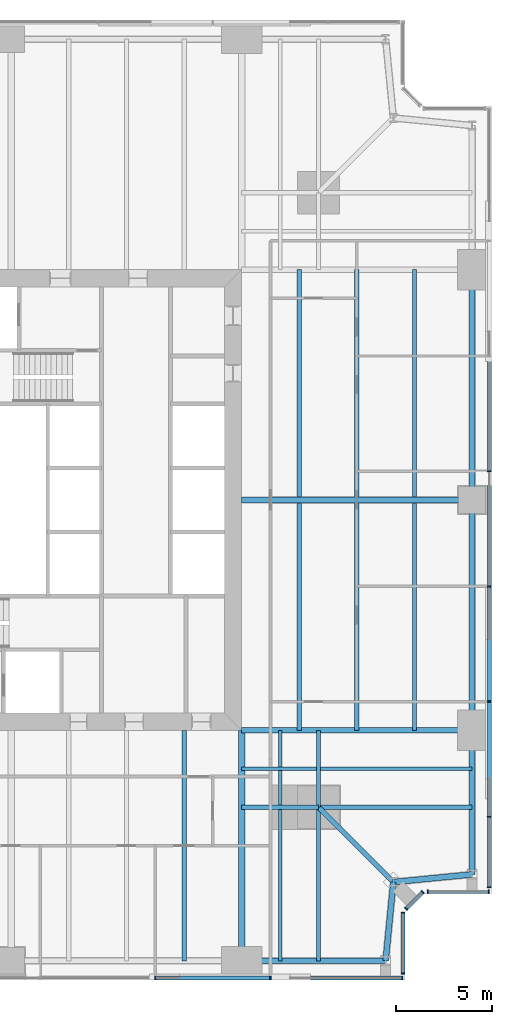
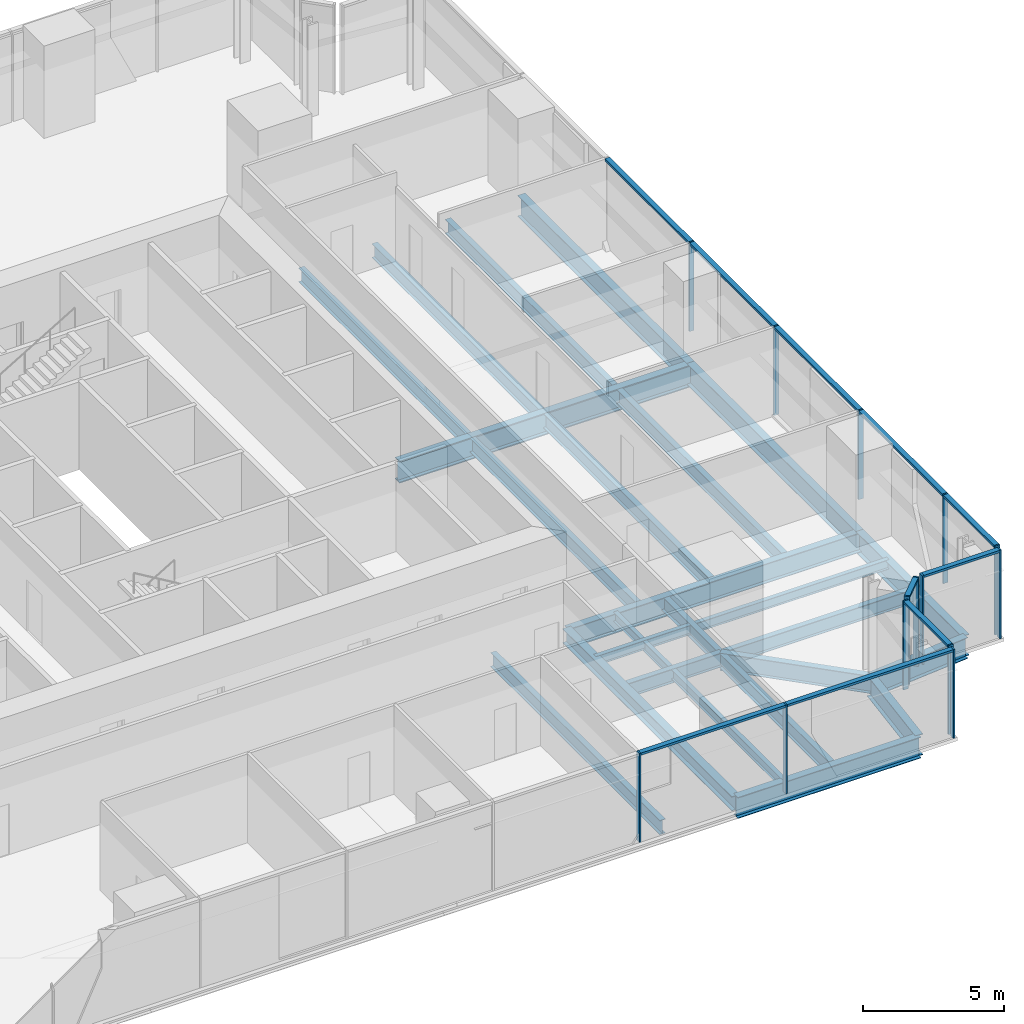
# One storey, part 5 of 13: 26 beams, 24 members, 5 elements without a shape of their own.
"""IFC4 building model written with IfcOpenShell, lengths in metres."""

from ifc_helpers import new_model, si_unit, direction, frame, origin, origin_2d, place, context, subcontext, project, spatial, rectangle, i_section, extrude, material, material_profile, profile_set, type_object, element, aggregate, save


model = new_model("IFC4")

# Units and contexts
model_context = context("Model", 3, precision=1e-05, world=origin(), true_north=direction((0.0, 1.0)))
body_context = subcontext(model_context, "Body", "Model", "MODEL_VIEW")
ifc_project = project(units=[si_unit("LENGTHUNIT", "METRE"), si_unit("AREAUNIT", "SQUARE_METRE"), si_unit("VOLUMEUNIT", "CUBIC_METRE"), si_unit("PLANEANGLEUNIT", "RADIAN"), si_unit("MASSUNIT", "GRAM", prefix="KILO")], contexts=[model_context])

# Site, building, storey
site_placement = place(None, origin())
site = spatial("IfcSite", under=ifc_project, at=site_placement, CompositionType="ELEMENT")
building_placement = place(site_placement, origin())
building = spatial("IfcBuilding", under=site, at=building_placement, Name="Fenwick Lantern Interchange", CompositionType="ELEMENT")
storey_placement = place(building_placement, frame((0.0, 0.0, 126.39990234375)))
storey = spatial("IfcBuildingStorey", under=building, at=storey_placement, Name="L29", CompositionType="ELEMENT", Elevation=126.39990234375)

# Beams
ifc_material_1 = material(Name="Steel ASTM A992 Grade 50", Category="steel")
ifc_material_profile_1 = material_profile(ifc_material_1, i_section(OverallWidth=0.3046875, OverallDepth=0.911865234375, WebThickness=0.015869140625, FlangeThickness=0.02392578125, at=origin_2d()), Name="W36X150")
ifc_profile_set_1 = profile_set([ifc_material_profile_1], Name="Steel ASTM A992 Grade 50")
beam_type_1 = type_object("IfcBeamType", Name="EDGE BEAM W36X150", PredefinedType="SPANDREL", material=ifc_profile_set_1)
beam_1_placement = place(storey_placement, frame((37.0, 1.0, -0.605712890625), z_axis=(1.0, 0.0, 0.0), x_axis=(0.0, 1.0, 0.0)))
element("IfcBeam", 1, at=beam_1_placement, inside=storey, type_object=beam_type_1, Name="L29/FR/S/EB4", PredefinedType="SPANDREL", context=body_context, shape_type="SweptSolid", body=[
    extrude(i_section(OverallWidth=0.3046875, OverallDepth=0.911865234375, WebThickness=0.015869140625, FlangeThickness=0.02392578125, at=origin_2d()), origin(), (0.0, 0.0, 1.0), 7.5),
])
for number, where, z_axis, x_axis, name in (
    (2, (44.5, 1.0, -0.605712890625), (0.097074191287, 0.995277148028, 0.0), (-0.995277148028, 0.097074191287, 0.0), "L29/FR/S/EBR1"),
    (3, (44.89990234375, 5.10009765625, -0.605712890625), (0.995277148028, 0.097074191287, 0.0), (-0.097074191287, 0.995277148028, 0.0), "L29/FR/S/EBR2"),
):
    element("IfcBeam", number, at=place(storey_placement, frame(where, z_axis=z_axis, x_axis=x_axis)), inside=storey, type_object=beam_type_1, Name=name, PredefinedType="SPANDREL", context=body_context, shape_type="SweptSolid", body=[
        extrude(i_section(OverallWidth=0.3046875, OverallDepth=0.911865234375, WebThickness=0.015869140625, FlangeThickness=0.02392578125, at=origin_2d()), origin(), (0.0, 0.0, 1.0), 4.11962890625),
    ])
beam_2_placement = place(storey_placement, frame((49.0, 5.5, -0.605712890625), z_axis=(0.0, 1.0, 0.0), x_axis=(-1.0, 0.0, 0.0)))
element("IfcBeam", 4, at=beam_2_placement, inside=storey, type_object=beam_type_1, Name="L29/FR/E/EB1", PredefinedType="SPANDREL", context=body_context, shape_type="SweptSolid", body=[
    extrude(i_section(OverallWidth=0.3046875, OverallDepth=0.911865234375, WebThickness=0.015869140625, FlangeThickness=0.02392578125, at=origin_2d()), origin(), (0.0, 0.0, 1.0), 7.5),
])
for number, where, z_axis, x_axis, name in (
    (5, (49.0, 13.0, -0.605712890625), (0.0, 1.0, 0.0), (-1.0, 0.0, 0.0), "L29/FR/E/EB2"),
    (6, (49.0, 25.0, -0.605712890625), (0.0, 1.0, 0.0), (-1.0, 0.0, 0.0), "L29/FR/E/EB3"),
):
    element("IfcBeam", number, at=place(storey_placement, frame(where, z_axis=z_axis, x_axis=x_axis)), inside=storey, type_object=beam_type_1, Name=name, PredefinedType="SPANDREL", context=body_context, shape_type="SweptSolid", body=[
        extrude(i_section(OverallWidth=0.3046875, OverallDepth=0.911865234375, WebThickness=0.015869140625, FlangeThickness=0.02392578125, at=origin_2d()), origin(), (0.0, 0.0, 1.0), 12.0),
    ])
ifc_material_profile_2 = material_profile(ifc_material_1, i_section(OverallWidth=0.22900390625, OverallDepth=0.612060546875, WebThickness=0.011962890625, FlangeThickness=0.01953125, at=origin_2d()), Name="W24X84")
ifc_profile_set_2 = profile_set([ifc_material_profile_2], Name="Steel ASTM A992 Grade 50")
beam_type_2 = type_object("IfcBeamType", Name="FLOOR BEAM W24X84", PredefinedType="BEAM", material=ifc_profile_set_2)
beam_3_placement = place(storey_placement, frame((34.0, 1.0, -0.4560546875), z_axis=(0.0, 1.0, 0.0), x_axis=(-1.0, 0.0, 0.0)))
element("IfcBeam", 7, at=beam_3_placement, inside=storey, type_object=beam_type_2, Name="L29/FR/S/R08", PredefinedType="BEAM", context=body_context, shape_type="SweptSolid", body=[
    extrude(i_section(OverallWidth=0.22900390625, OverallDepth=0.612060546875, WebThickness=0.011962890625, FlangeThickness=0.01953125, at=origin_2d()), origin(), (0.0, 0.0, 1.0), 12.0),
])
for number, where, z_axis, x_axis, name in (
    (8, (46.0, 13.0, -0.4560546875), (0.0, 1.0, 0.0), (-1.0, 0.0, 0.0), "L29/FR/E/B01"),
    (9, (43.0, 13.0, -0.4560546875), (0.0, 1.0, 0.0), (-1.0, 0.0, 0.0), "L29/FR/E/B02"),
    (10, (40.0, 13.0, -0.4560546875), (0.0, 1.0, 0.0), (-1.0, 0.0, 0.0), "L29/FR/E/B03"),
    (11, (46.0, 25.155029296875, -0.4560546875), (0.0, 1.0, 0.0), (-1.0, 0.0, 0.0), "L29/FR/E/B04"),
    (12, (43.0, 25.155029296875, -0.4560546875), (0.0, 1.0, 0.0), (-1.0, 0.0, 0.0), "L29/FR/E/B05"),
    (13, (40.0, 25.155029296875, -0.4560546875), (0.0, 1.0, 0.0), (-1.0, 0.0, 0.0), "L29/FR/E/B06"),
):
    element("IfcBeam", number, at=place(storey_placement, frame(where, z_axis=z_axis, x_axis=x_axis)), inside=storey, type_object=beam_type_2, Name=name, PredefinedType="BEAM", context=body_context, shape_type="SweptSolid", body=[
        extrude(i_section(OverallWidth=0.22900390625, OverallDepth=0.612060546875, WebThickness=0.011962890625, FlangeThickness=0.01953125, at=origin_2d()), origin(), (0.0, 0.0, 1.0), 11.844970703125),
    ])
ifc_material_profile_3 = material_profile(ifc_material_1, i_section(OverallWidth=0.177734375, OverallDepth=0.406494140625, WebThickness=0.0078125, FlangeThickness=0.012939453125, at=origin_2d()), Name="W16X40")
ifc_profile_set_3 = profile_set([ifc_material_profile_3], Name="Steel ASTM A992 Grade 50")
beam_type_3 = type_object("IfcBeamType", Name="INFILL BEAM W16X40", PredefinedType="JOIST", material=ifc_profile_set_3)
beam_4_placement = place(storey_placement, frame((49.0, 11.0, -0.35302734375), z_axis=(-1.0, 0.0, 0.0), x_axis=(0.0, -1.0, 0.0)))
element("IfcBeam", 14, at=beam_4_placement, inside=storey, type_object=beam_type_3, Name="L29/FR/E/J1", PredefinedType="JOIST", context=body_context, shape_type="SweptSolid", body=[
    extrude(i_section(OverallWidth=0.177734375, OverallDepth=0.406494140625, WebThickness=0.0078125, FlangeThickness=0.012939453125, at=origin_2d()), origin(), (0.0, 0.0, 1.0), 7.885498046875),
])
beam_5_placement = place(storey_placement, frame((40.885498046875, 11.0, -0.35302734375), z_axis=(-1.0, 0.0, 0.0), x_axis=(0.0, -1.0, 0.0)))
element("IfcBeam", 15, at=beam_5_placement, inside=storey, type_object=beam_type_3, Name="L29/FR/E/J2", PredefinedType="JOIST", context=body_context, shape_type="SweptSolid", body=[
    extrude(i_section(OverallWidth=0.177734375, OverallDepth=0.406494140625, WebThickness=0.0078125, FlangeThickness=0.012939453125, at=origin_2d()), origin(), (0.0, 0.0, 1.0), 3.885498046875),
])
beam_6_placement = place(storey_placement, frame((39.0, 1.0, -0.35302734375), z_axis=(0.0, 1.0, 0.0), x_axis=(-1.0, 0.0, 0.0)))
element("IfcBeam", 16, at=beam_6_placement, inside=storey, type_object=beam_type_3, Name="L29/FR/E/J3", PredefinedType="JOIST", context=body_context, shape_type="SweptSolid", body=[
    extrude(i_section(OverallWidth=0.177734375, OverallDepth=0.406494140625, WebThickness=0.0078125, FlangeThickness=0.012939453125, at=origin_2d()), origin(), (0.0, 0.0, 1.0), 7.885498046875),
])
beam_7_placement = place(storey_placement, frame((39.0, 9.114501953125, -0.35302734375), z_axis=(0.0, 1.0, 0.0), x_axis=(-1.0, 0.0, 0.0)))
element("IfcBeam", 17, at=beam_7_placement, inside=storey, type_object=beam_type_3, Name="L29/FR/E/J4", PredefinedType="JOIST", context=body_context, shape_type="SweptSolid", body=[
    extrude(i_section(OverallWidth=0.177734375, OverallDepth=0.406494140625, WebThickness=0.0078125, FlangeThickness=0.012939453125, at=origin_2d()), origin(), (0.0, 0.0, 1.0), 1.796630859375),
])
beam_8_placement = place(storey_placement, frame((39.0, 11.0888671875, -0.35302734375), z_axis=(0.0, 1.0, 0.0), x_axis=(-1.0, 0.0, 0.0)))
element("IfcBeam", 18, at=beam_8_placement, inside=storey, type_object=beam_type_3, Name="L29/FR/E/J5", PredefinedType="JOIST", context=body_context, shape_type="SweptSolid", body=[
    extrude(i_section(OverallWidth=0.177734375, OverallDepth=0.406494140625, WebThickness=0.0078125, FlangeThickness=0.012939453125, at=origin_2d()), origin(), (0.0, 0.0, 1.0), 1.9111328125),
])
ifc_material_profile_4 = material_profile(ifc_material_1, i_section(OverallWidth=0.22900390625, OverallDepth=0.612060546875, WebThickness=0.011962890625, FlangeThickness=0.01953125, at=origin_2d()), Name="W24X84")
ifc_profile_set_4 = profile_set([ifc_material_profile_4], Name="Steel ASTM A992 Grade 50")
beam_type_4 = type_object("IfcBeamType", Name="MEGA COLUMN BEAM W24X84", PredefinedType="BEAM", material=ifc_profile_set_4)
for number, where, z_axis, x_axis, name in (
    (19, (41.0, 9.0, -0.4560546875), (1.0, 0.0, 0.0), (0.0, 1.0, 0.0), "L29/FR/E/MB1"),
    (20, (41.0, 9.0, -0.4560546875), (0.0, -1.0, 0.0), (1.0, 0.0, 0.0), "L29/FR/E/MB2"),
):
    element("IfcBeam", number, at=place(storey_placement, frame(where, z_axis=z_axis, x_axis=x_axis)), inside=storey, type_object=beam_type_4, Name=name, PredefinedType="BEAM", context=body_context, shape_type="SweptSolid", body=[
        extrude(i_section(OverallWidth=0.22900390625, OverallDepth=0.612060546875, WebThickness=0.011962890625, FlangeThickness=0.01953125, at=origin_2d()), origin(), (0.0, 0.0, 1.0), 8.0),
    ])
for number, where, z_axis, x_axis, name in (
    (21, (41.0, 9.0, -0.4560546875), (0.0, 1.0, 0.0), (-1.0, 0.0, 0.0), "L29/FR/E/MB3"),
    (22, (41.0, 9.0, -0.4560546875), (-1.0, 0.0, 0.0), (0.0, -1.0, 0.0), "L29/FR/E/MB4"),
):
    element("IfcBeam", number, at=place(storey_placement, frame(where, z_axis=z_axis, x_axis=x_axis)), inside=storey, type_object=beam_type_4, Name=name, PredefinedType="BEAM", context=body_context, shape_type="SweptSolid", body=[
        extrude(i_section(OverallWidth=0.22900390625, OverallDepth=0.612060546875, WebThickness=0.011962890625, FlangeThickness=0.01953125, at=origin_2d()), origin(), (0.0, 0.0, 1.0), 4.0),
    ])
ifc_material_profile_5 = material_profile(ifc_material_1, i_section(OverallWidth=0.32763671875, OverallDepth=0.622314453125, WebThickness=0.015380859375, FlangeThickness=0.0244140625, at=origin_2d()), Name="W24X131")
ifc_profile_set_5 = profile_set([ifc_material_profile_5], Name="Steel ASTM A992 Grade 50")
beam_type_5 = type_object("IfcBeamType", Name="MOMENT-CONNECTED GIRDER W24X131", PredefinedType="BEAM", material=ifc_profile_set_5)
beam_9_placement = place(storey_placement, frame((37.0, 1.0, -0.4609375), z_axis=(0.0, 1.0, 0.0), x_axis=(-1.0, 0.0, 0.0)))
element("IfcBeam", 23, at=beam_9_placement, inside=storey, type_object=beam_type_5, Name="L29/FR/S/R09", PredefinedType="BEAM", context=body_context, shape_type="SweptSolid", body=[
    extrude(i_section(OverallWidth=0.32763671875, OverallDepth=0.622314453125, WebThickness=0.015380859375, FlangeThickness=0.0244140625, at=origin_2d()), origin(), (0.0, 0.0, 1.0), 12.0),
])
ifc_material_profile_6 = material_profile(ifc_material_1, i_section(OverallWidth=0.2919921875, OverallDepth=0.845703125, WebThickness=0.015380859375, FlangeThickness=0.0244140625, at=origin_2d()), Name="W33X141")
ifc_profile_set_6 = profile_set([ifc_material_profile_6], Name="Steel ASTM A992 Grade 50")
beam_type_6 = type_object("IfcBeamType", Name="MOMENT-CONNECTED GIRDER W33X141", PredefinedType="BEAM", material=ifc_profile_set_6)
beam_10_placement = place(storey_placement, frame((49.0, 13.0, -0.57275390625), z_axis=(-1.0, 0.0, 0.0), x_axis=(0.0, -1.0, 0.0)))
element("IfcBeam", 24, at=beam_10_placement, inside=storey, type_object=beam_type_6, Name="L29/FR/E/R01", PredefinedType="BEAM", context=body_context, shape_type="SweptSolid", body=[
    extrude(i_section(OverallWidth=0.2919921875, OverallDepth=0.845703125, WebThickness=0.015380859375, FlangeThickness=0.0244140625, at=origin_2d()), origin(), (0.0, 0.0, 1.0), 12.0),
])
ifc_material_profile_7 = material_profile(ifc_material_1, i_section(OverallWidth=0.309814453125, OverallDepth=0.949951171875, WebThickness=0.0244140625, FlangeThickness=0.0439453125, at=origin_2d()), Name="W36X256")
ifc_profile_set_7 = profile_set([ifc_material_profile_7], Name="Steel ASTM A992 Grade 50")
beam_type_7 = type_object("IfcBeamType", Name="MOMENT-CONNECTED GIRDER W36X256", PredefinedType="BEAM", material=ifc_profile_set_7)
beam_11_placement = place(storey_placement, frame((49.0, 25.0, -0.625), z_axis=(-1.0, 0.0, 0.0), x_axis=(0.0, -1.0, 0.0)))
element("IfcBeam", 25, at=beam_11_placement, inside=storey, type_object=beam_type_7, Name="L29/FR/E/R02", PredefinedType="BEAM", context=body_context, shape_type="SweptSolid", body=[
    extrude(i_section(OverallWidth=0.309814453125, OverallDepth=0.949951171875, WebThickness=0.0244140625, FlangeThickness=0.0439453125, at=origin_2d()), origin(), (0.0, 0.0, 1.0), 12.0),
])
ifc_material_profile_8 = material_profile(ifc_material_1, i_section(OverallWidth=0.2666015625, OverallDepth=0.7568359375, WebThickness=0.013916015625, FlangeThickness=0.019287109375, at=origin_2d()), Name="W30X108")
ifc_profile_set_8 = profile_set([ifc_material_profile_8], Name="Steel ASTM A992 Grade 50")
beam_type_8 = type_object("IfcBeamType", Name="NOTCH BEAM W30X108", PredefinedType="BEAM", material=ifc_profile_set_8)
beam_12_placement = place(storey_placement, frame((41.0, 9.0, -0.5283203125), z_axis=(0.707106781187, -0.707106781187, 0.0), x_axis=(0.707106781187, 0.707106781187, 0.0)))
element("IfcBeam", 26, at=beam_12_placement, inside=storey, type_object=beam_type_8, Name="L29/FR/E/TG", PredefinedType="BEAM", context=body_context, shape_type="SweptSolid", body=[
    extrude(i_section(OverallWidth=0.2666015625, OverallDepth=0.7568359375, WebThickness=0.013916015625, FlangeThickness=0.019287109375, at=origin_2d()), origin(), (0.0, 0.0, 1.0), 5.515380859375),
])

# Curtain wall, members
ifc_material_2 = material(Name="Aluminium curtain wall frame", Category="aluminium")
curtain_wall_type = type_object("IfcCurtainWallType", Name="OFFICE CURTAIN WALL", PredefinedType="USERDEFINED", material=ifc_material_2)
curtain_wall_1_placement = place(storey_placement, origin())
curtain_wall_1 = element("IfcCurtainWall", 27, at=curtain_wall_1_placement, inside=storey, type_object=curtain_wall_type, Name="Office curtain wall 01", ObjectType="OFFICE CURTAIN WALL", PredefinedType="USERDEFINED")
ifc_material_3 = material(Name="Aluminium extrusion", Category="aluminium")
ifc_material_profile_9 = material_profile(ifc_material_3, rectangle(XDim=0.199951171875, YDim=0.06494140625, at=origin_2d()), Name="OFFICE CURTAIN WALL MULLION 65 X 200")
ifc_profile_set_9 = profile_set([ifc_material_profile_9], Name="Aluminium extrusion")
member_type_1 = type_object("IfcMemberType", Name="OFFICE CURTAIN WALL MULLION 65 X 200", PredefinedType="MULLION", material=ifc_profile_set_9)
member_1_placement = place(storey_placement, frame((32.5, 0.10009765625, 0.0), z_axis=(0.0, 0.0, 1.0), x_axis=(0.0, 1.0, 0.0)))
member_1 = element("IfcMember", 28, at=member_1_placement, type_object=member_type_1, Name="L29/CW/01/M05", PredefinedType="MULLION", context=body_context, shape_type="SweptSolid", body=[
    extrude(rectangle(XDim=0.199951171875, YDim=0.06494140625, at=origin_2d()), origin(), (0.0, 0.0, 1.0), 3.85009765625),
])
member_2_placement = place(storey_placement, frame((38.5, 0.10009765625, 0.0), z_axis=(0.0, 0.0, 1.0), x_axis=(0.0, 1.0, 0.0)))
member_2 = element("IfcMember", 29, at=member_2_placement, type_object=member_type_1, Name="L29/CW/01/M06", PredefinedType="MULLION", context=body_context, shape_type="SweptSolid", body=[
    extrude(rectangle(XDim=0.199951171875, YDim=0.06494140625, at=origin_2d()), origin(), (0.0, 0.0, 1.0), 3.85009765625),
])
member_3_placement = place(storey_placement, frame((45.367431640625, 0.10009765625, 0.0), z_axis=(0.0, 0.0, 1.0), x_axis=(0.0, 1.0, 0.0)))
member_3 = element("IfcMember", 30, at=member_3_placement, type_object=member_type_1, Name="L29/CW/01/M07", PredefinedType="MULLION", context=body_context, shape_type="SweptSolid", body=[
    extrude(rectangle(XDim=0.199951171875, YDim=0.06494140625, at=origin_2d()), origin(), (0.0, 0.0, 1.0), 3.85009765625),
])

curtain_wall_2_placement = place(storey_placement, origin())
curtain_wall_2 = element("IfcCurtainWall", 31, at=curtain_wall_2_placement, inside=storey, type_object=curtain_wall_type, Name="Office curtain wall 02", ObjectType="OFFICE CURTAIN WALL", PredefinedType="USERDEFINED")
member_4_placement = place(storey_placement, frame((45.39990234375, 0.33251953125, 0.0), z_axis=(0.0, 0.0, 1.0), x_axis=(-1.0, 0.0, 0.0)))
member_4 = element("IfcMember", 32, at=member_4_placement, type_object=member_type_1, Name="L29/CW/02/M00", PredefinedType="MULLION", context=body_context, shape_type="SweptSolid", body=[
    extrude(rectangle(XDim=0.199951171875, YDim=0.06494140625, at=origin_2d()), origin(), (0.0, 0.0, 1.0), 3.85009765625),
])
member_5_placement = place(storey_placement, frame((45.39990234375, 3.509033203125, 0.0), z_axis=(0.0, 0.0, 1.0), x_axis=(-1.0, 0.0, 0.0)))
member_5 = element("IfcMember", 33, at=member_5_placement, type_object=member_type_1, Name="L29/CW/02/M01", PredefinedType="MULLION", context=body_context, shape_type="SweptSolid", body=[
    extrude(rectangle(XDim=0.199951171875, YDim=0.06494140625, at=origin_2d()), origin(), (0.0, 0.0, 1.0), 3.85009765625),
])

curtain_wall_3_placement = place(storey_placement, origin())
curtain_wall_3 = element("IfcCurtainWall", 34, at=curtain_wall_3_placement, inside=storey, type_object=curtain_wall_type, Name="Office curtain wall 03", ObjectType="OFFICE CURTAIN WALL", PredefinedType="USERDEFINED")
member_6_placement = place(storey_placement, frame((45.564453125, 3.705810546875, 0.0), z_axis=(0.0, 0.0, 1.0), x_axis=(-0.707106781187, 0.707106781187, 0.0)))
member_6 = element("IfcMember", 35, at=member_6_placement, type_object=member_type_1, Name="L29/CW/03/M00", PredefinedType="MULLION", context=body_context, shape_type="SweptSolid", body=[
    extrude(rectangle(XDim=0.199951171875, YDim=0.06494140625, at=origin_2d()), origin(), (0.0, 0.0, 1.0), 3.85009765625),
])
member_7_placement = place(storey_placement, frame((46.435546875, 4.576904296875, 0.0), z_axis=(0.0, 0.0, 1.0), x_axis=(-0.707106781187, 0.707106781187, 0.0)))
member_7 = element("IfcMember", 36, at=member_7_placement, type_object=member_type_1, Name="L29/CW/03/M01", PredefinedType="MULLION", context=body_context, shape_type="SweptSolid", body=[
    extrude(rectangle(XDim=0.199951171875, YDim=0.06494140625, at=origin_2d()), origin(), (0.0, 0.0, 1.0), 3.85009765625),
])

curtain_wall_4_placement = place(storey_placement, origin())
curtain_wall_4 = element("IfcCurtainWall", 37, at=curtain_wall_4_placement, inside=storey, type_object=curtain_wall_type, Name="Office curtain wall 04", ObjectType="OFFICE CURTAIN WALL", PredefinedType="USERDEFINED")
member_8_placement = place(storey_placement, frame((46.691162109375, 4.60009765625, 0.0), z_axis=(0.0, 0.0, 1.0), x_axis=(0.0, 1.0, 0.0)))
member_8 = element("IfcMember", 38, at=member_8_placement, type_object=member_type_1, Name="L29/CW/04/M00", PredefinedType="MULLION", context=body_context, shape_type="SweptSolid", body=[
    extrude(rectangle(XDim=0.199951171875, YDim=0.06494140625, at=origin_2d()), origin(), (0.0, 0.0, 1.0), 3.85009765625),
])
member_9_placement = place(storey_placement, frame((49.867431640625, 4.60009765625, 0.0), z_axis=(0.0, 0.0, 1.0), x_axis=(0.0, 1.0, 0.0)))
member_9 = element("IfcMember", 39, at=member_9_placement, type_object=member_type_1, Name="L29/CW/04/M01", PredefinedType="MULLION", context=body_context, shape_type="SweptSolid", body=[
    extrude(rectangle(XDim=0.199951171875, YDim=0.06494140625, at=origin_2d()), origin(), (0.0, 0.0, 1.0), 3.85009765625),
])

curtain_wall_5_placement = place(storey_placement, origin())
curtain_wall_5 = element("IfcCurtainWall", 40, at=curtain_wall_5_placement, inside=storey, type_object=curtain_wall_type, Name="Office curtain wall 05", ObjectType="OFFICE CURTAIN WALL", PredefinedType="USERDEFINED")
member_10_placement = place(storey_placement, frame((49.89990234375, 4.83251953125, 0.0), z_axis=(0.0, 0.0, 1.0), x_axis=(-1.0, 0.0, 0.0)))
member_10 = element("IfcMember", 41, at=member_10_placement, type_object=member_type_1, Name="L29/CW/05/M00", PredefinedType="MULLION", context=body_context, shape_type="SweptSolid", body=[
    extrude(rectangle(XDim=0.199951171875, YDim=0.06494140625, at=origin_2d()), origin(), (0.0, 0.0, 1.0), 3.85009765625),
])
member_11_placement = place(storey_placement, frame((49.89990234375, 8.5, 0.0), z_axis=(0.0, 0.0, 1.0), x_axis=(-1.0, 0.0, 0.0)))
member_11 = element("IfcMember", 42, at=member_11_placement, type_object=member_type_1, Name="L29/CW/05/M01", PredefinedType="MULLION", context=body_context, shape_type="SweptSolid", body=[
    extrude(rectangle(XDim=0.199951171875, YDim=0.06494140625, at=origin_2d()), origin(), (0.0, 0.0, 1.0), 3.85009765625),
])
member_12_placement = place(storey_placement, frame((49.89990234375, 14.5, 0.0), z_axis=(0.0, 0.0, 1.0), x_axis=(-1.0, 0.0, 0.0)))
member_12 = element("IfcMember", 43, at=member_12_placement, type_object=member_type_1, Name="L29/CW/05/M02", PredefinedType="MULLION", context=body_context, shape_type="SweptSolid", body=[
    extrude(rectangle(XDim=0.199951171875, YDim=0.06494140625, at=origin_2d()), origin(), (0.0, 0.0, 1.0), 3.85009765625),
])
member_13_placement = place(storey_placement, frame((49.89990234375, 20.5, 0.0), z_axis=(0.0, 0.0, 1.0), x_axis=(-1.0, 0.0, 0.0)))
member_13 = element("IfcMember", 44, at=member_13_placement, type_object=member_type_1, Name="L29/CW/05/M03", PredefinedType="MULLION", context=body_context, shape_type="SweptSolid", body=[
    extrude(rectangle(XDim=0.199951171875, YDim=0.06494140625, at=origin_2d()), origin(), (0.0, 0.0, 1.0), 3.85009765625),
])
member_14_placement = place(storey_placement, frame((49.89990234375, 26.5, 0.0), z_axis=(0.0, 0.0, 1.0), x_axis=(-1.0, 0.0, 0.0)))
member_14 = element("IfcMember", 45, at=member_14_placement, type_object=member_type_1, Name="L29/CW/05/M04", PredefinedType="MULLION", context=body_context, shape_type="SweptSolid", body=[
    extrude(rectangle(XDim=0.199951171875, YDim=0.06494140625, at=origin_2d()), origin(), (0.0, 0.0, 1.0), 3.85009765625),
])

# Member
ifc_material_profile_10 = material_profile(ifc_material_3, rectangle(XDim=0.199951171875, YDim=0.10009765625, at=origin_2d()), Name="OFFICE CURTAIN WALL TRANSOM 100 X 200")
ifc_profile_set_10 = profile_set([ifc_material_profile_10], Name="Aluminium extrusion")
member_type_2 = type_object("IfcMemberType", Name="OFFICE CURTAIN WALL TRANSOM 100 X 200", PredefinedType="MULLION", material=ifc_profile_set_10)
member_15_placement = place(storey_placement, frame((32.532470703125, 0.10009765625, 3.800048828125), z_axis=(1.0, 0.0, 0.0), x_axis=(0.0, 1.0, 0.0)))
member_15 = element("IfcMember", 46, at=member_15_placement, type_object=member_type_2, Name="L29/CW/01/T05", PredefinedType="MULLION", context=body_context, shape_type="SweptSolid", body=[
    extrude(rectangle(XDim=0.199951171875, YDim=0.10009765625, at=origin_2d()), origin(), (0.0, 0.0, 1.0), 5.93505859375),
])

member_16_placement = place(storey_placement, frame((38.532470703125, 0.10009765625, 3.800048828125), z_axis=(1.0, 0.0, 0.0), x_axis=(0.0, 1.0, 0.0)))
member_16 = element("IfcMember", 47, at=member_16_placement, type_object=member_type_2, Name="L29/CW/01/T06", PredefinedType="MULLION", context=body_context, shape_type="SweptSolid", body=[
    extrude(rectangle(XDim=0.199951171875, YDim=0.10009765625, at=origin_2d()), origin(), (0.0, 0.0, 1.0), 6.802490234375),
])

aggregate(curtain_wall_1, [member_1, member_2, member_3, member_15, member_16])

member_17_placement = place(storey_placement, frame((45.39990234375, 0.364990234375, 3.800048828125), z_axis=(0.0, 1.0, 0.0), x_axis=(-1.0, 0.0, 0.0)))
member_17 = element("IfcMember", 48, at=member_17_placement, type_object=member_type_2, Name="L29/CW/02/T00", PredefinedType="MULLION", context=body_context, shape_type="SweptSolid", body=[
    extrude(rectangle(XDim=0.199951171875, YDim=0.10009765625, at=origin_2d()), origin(), (0.0, 0.0, 1.0), 3.111328125),
])

aggregate(curtain_wall_2, [member_4, member_5, member_17])

member_18_placement = place(storey_placement, frame((45.58740234375, 3.728759765625, 3.800048828125), z_axis=(0.707106781187, 0.707106781187, 0.0), x_axis=(-0.707106781187, 0.707106781187, 0.0)))
member_18 = element("IfcMember", 49, at=member_18_placement, type_object=member_type_2, Name="L29/CW/03/T00", PredefinedType="MULLION", context=body_context, shape_type="SweptSolid", body=[
    extrude(rectangle(XDim=0.199951171875, YDim=0.10009765625, at=origin_2d()), origin(), (0.0, 0.0, 1.0), 1.1669921875),
])

aggregate(curtain_wall_3, [member_6, member_7, member_18])

member_19_placement = place(storey_placement, frame((46.7236328125, 4.60009765625, 3.800048828125), z_axis=(1.0, 0.0, 0.0), x_axis=(0.0, 1.0, 0.0)))
member_19 = element("IfcMember", 50, at=member_19_placement, type_object=member_type_2, Name="L29/CW/04/T00", PredefinedType="MULLION", context=body_context, shape_type="SweptSolid", body=[
    extrude(rectangle(XDim=0.199951171875, YDim=0.10009765625, at=origin_2d()), origin(), (0.0, 0.0, 1.0), 3.111328125),
])

aggregate(curtain_wall_4, [member_8, member_9, member_19])

member_20_placement = place(storey_placement, frame((49.89990234375, 4.864990234375, 3.800048828125), z_axis=(0.0, 1.0, 0.0), x_axis=(-1.0, 0.0, 0.0)))
member_20 = element("IfcMember", 51, at=member_20_placement, type_object=member_type_2, Name="L29/CW/05/T00", PredefinedType="MULLION", context=body_context, shape_type="SweptSolid", body=[
    extrude(rectangle(XDim=0.199951171875, YDim=0.10009765625, at=origin_2d()), origin(), (0.0, 0.0, 1.0), 3.6025390625),
])

member_21_placement = place(storey_placement, frame((49.89990234375, 8.532470703125, 3.800048828125), z_axis=(0.0, 1.0, 0.0), x_axis=(-1.0, 0.0, 0.0)))
member_21 = element("IfcMember", 52, at=member_21_placement, type_object=member_type_2, Name="L29/CW/05/T01", PredefinedType="MULLION", context=body_context, shape_type="SweptSolid", body=[
    extrude(rectangle(XDim=0.199951171875, YDim=0.10009765625, at=origin_2d()), origin(), (0.0, 0.0, 1.0), 5.93505859375),
])

member_22_placement = place(storey_placement, frame((49.89990234375, 14.532470703125, 3.800048828125), z_axis=(0.0, 1.0, 0.0), x_axis=(-1.0, 0.0, 0.0)))
member_22 = element("IfcMember", 53, at=member_22_placement, type_object=member_type_2, Name="L29/CW/05/T02", PredefinedType="MULLION", context=body_context, shape_type="SweptSolid", body=[
    extrude(rectangle(XDim=0.199951171875, YDim=0.10009765625, at=origin_2d()), origin(), (0.0, 0.0, 1.0), 5.93505859375),
])

member_23_placement = place(storey_placement, frame((49.89990234375, 20.532470703125, 3.800048828125), z_axis=(0.0, 1.0, 0.0), x_axis=(-1.0, 0.0, 0.0)))
member_23 = element("IfcMember", 54, at=member_23_placement, type_object=member_type_2, Name="L29/CW/05/T03", PredefinedType="MULLION", context=body_context, shape_type="SweptSolid", body=[
    extrude(rectangle(XDim=0.199951171875, YDim=0.10009765625, at=origin_2d()), origin(), (0.0, 0.0, 1.0), 5.93505859375),
])

member_24_placement = place(storey_placement, frame((49.89990234375, 26.532470703125, 3.800048828125), z_axis=(0.0, 1.0, 0.0), x_axis=(-1.0, 0.0, 0.0)))
member_24 = element("IfcMember", 55, at=member_24_placement, type_object=member_type_2, Name="L29/CW/05/T04", PredefinedType="MULLION", context=body_context, shape_type="SweptSolid", body=[
    extrude(rectangle(XDim=0.199951171875, YDim=0.10009765625, at=origin_2d()), origin(), (0.0, 0.0, 1.0), 5.93505859375),
])

aggregate(curtain_wall_5, [member_10, member_11, member_12, member_13, member_14, member_20, member_21, member_22, member_23, member_24])

save(model, "model.ifc")
